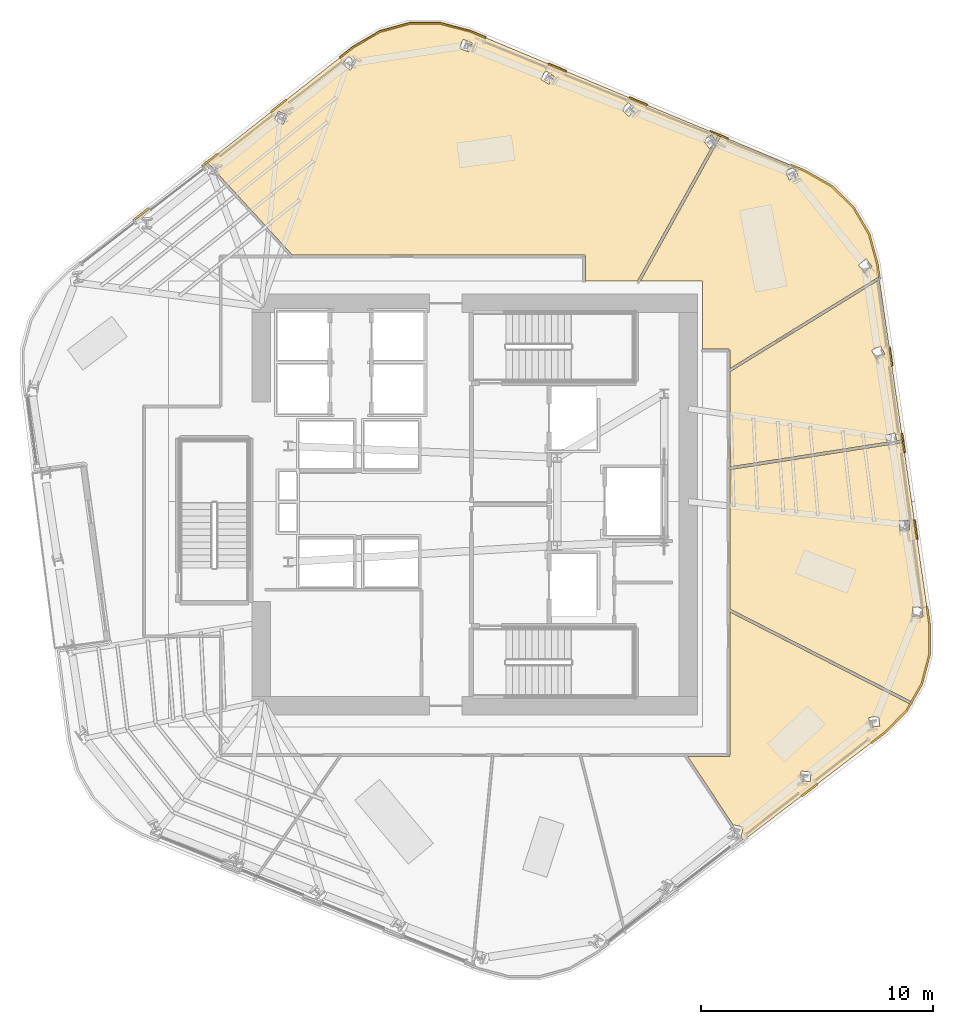
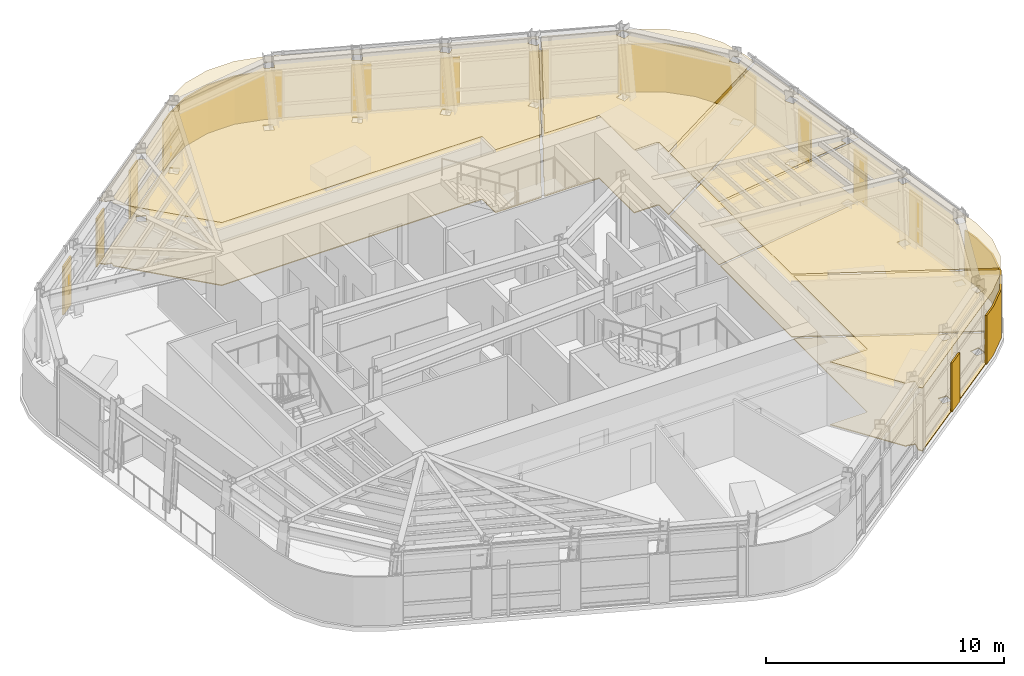
# One storey, part 14 of 15: 23 coverings.
"""IFC4 building model written with IfcOpenShell, lengths in metres."""

from ifc_helpers import new_model, si_unit, direction, frame, origin, place, context, subcontext, project, spatial, polyline, outline, extrude, material, layer, layer_set, type_object, element, save


model = new_model("IFC4")

# Units and contexts
model_context = context("Model", 3, precision=1e-05, world=origin(), true_north=direction((0.0, 1.0)))
body_context = subcontext(model_context, "Body", "Model", "MODEL_VIEW")
ifc_project = project(units=[si_unit("LENGTHUNIT", "METRE"), si_unit("AREAUNIT", "SQUARE_METRE"), si_unit("VOLUMEUNIT", "CUBIC_METRE"), si_unit("PLANEANGLEUNIT", "RADIAN"), si_unit("MASSUNIT", "GRAM", prefix="KILO")], contexts=[model_context])

# Site, building, storey
site_placement = place(None, origin())
site = spatial("IfcSite", under=ifc_project, at=site_placement, CompositionType="ELEMENT")
building_placement = place(site_placement, origin())
building = spatial("IfcBuilding", under=site, at=building_placement, Name="Valkerne Bourse Tower", CompositionType="ELEMENT")
storey_placement = place(building_placement, frame((0.0, 0.0, 185.60009765625)))
storey = spatial("IfcBuildingStorey", under=building, at=storey_placement, Name="L47", CompositionType="ELEMENT", Elevation=185.60009765625)

# Coverings
ifc_material_1 = material(Name="Mineral Fiber Acoustic Ceiling Tile", Category="acoustic")
ifc_layer_1 = layer(ifc_material_1, 0.02490234375)
ifc_layer_set_1 = layer_set([ifc_layer_1], Name="Mineral Fiber Acoustic Ceiling Tile")
covering_type_1 = type_object("IfcCoveringType", Name="COV-CEIL-ACT", PredefinedType="CEILING", material=ifc_layer_set_1)
covering_1_placement = place(storey_placement, frame((0.0, 0.0, 3.22998046875)))
element("IfcCovering", 1, at=covering_1_placement, inside=storey, type_object=covering_type_1, Name="L47 Suspended Ceiling 05", PredefinedType="CEILING", context=body_context, shape_type="SweptSolid", body=[
    extrude(outline(polyline([(57.7890625, 32.593994140625), (64.230712890625, 36.56396484375), (65.23046875, 29.6640625), (64.98388671875, 29.62548828125), (64.88720703125, 29.9619140625), (64.47900390625, 29.8447265625), (64.4794921875, 29.842041015625), (64.560791015625, 29.559326171875), (57.7890625, 28.498779296875), (57.7890625, 32.593994140625)]), holes=[polyline([(64.463134765625, 33.34716796875), (64.46240234375, 33.349609375), (64.26953125, 33.715087890625), (63.893798828125, 33.517333984375), (63.894775390625, 33.514892578125), (64.08740234375, 33.1494140625), (64.463134765625, 33.34716796875)])]), origin(), (0.0, 0.0, 1.0), 0.02490234375),
])
covering_2_placement = place(storey_placement, frame((0.0, 0.0, 3.22998046875)))
element("IfcCovering", 2, at=covering_2_placement, inside=storey, type_object=covering_type_1, Name="L47 Suspended Ceiling 06", PredefinedType="CEILING", context=body_context, shape_type="SweptSolid", body=[
    extrude(outline(polyline([(58.36865234375, 12.403564453125), (58.26318359375, 12.5625), (58.364013671875, 12.97119140625), (57.96240234375, 13.071533203125), (57.960205078125, 13.070068359375), (57.950927734375, 13.0322265625), (55.971923828125, 16.010986328125), (57.723388671875, 16.010986328125), (57.76171875, 16.02490234375), (57.786865234375, 16.0625), (57.7890625, 22.2412109375), (65.5537109375, 18.276123046875), (65.395263671875, 17.998291015625), (64.4609375, 17.05419921875), (58.36865234375, 12.403564453125)]), holes=[polyline([(61.275390625, 15.37060546875), (60.861572265625, 15.386962890625), (60.85986328125, 15.385009765625), (60.84423828125, 14.96142578125), (61.2578125, 14.94482421875), (61.259521484375, 14.947021484375), (61.275390625, 15.37060546875)]), polyline([(64.24560546875, 17.339599609375), (64.181396484375, 17.75830078125), (63.77197265625, 17.697021484375), (63.7705078125, 17.6943359375), (63.8349609375, 17.275634765625), (64.244140625, 17.337158203125), (64.24560546875, 17.339599609375)])]), origin(), (0.0, 0.0, 1.0), 0.02490234375),
])
covering_3_placement = place(storey_placement, frame((0.0, 0.0, 3.22998046875)))
element("IfcCovering", 3, at=covering_3_placement, inside=storey, type_object=covering_type_1, Name="L47 Suspended Ceiling 08", PredefinedType="CEILING", context=body_context, shape_type="SweptSolid", body=[
    extrude(outline(polyline([(63.116943359375, 39.65673828125), (63.78271484375, 38.517333984375), (64.133544921875, 37.23486328125), (64.21240234375, 36.691162109375), (57.7890625, 32.732421875), (57.788818359375, 33.50341796875), (57.779541015625, 33.53515625), (57.755859375, 33.55908203125), (57.720703125, 33.569091796875), (56.60009765625, 33.569091796875), (56.60009765625, 36.5), (53.9345703125, 36.5), (57.40234375, 42.75439453125), (61.024169921875, 41.24365234375), (62.178955078125, 40.5849609375), (63.116943359375, 39.65673828125)]), holes=[polyline([(63.912353515625, 37.131103515625), (63.910888671875, 37.13330078125), (63.65283203125, 37.4560546875), (63.321044921875, 37.19140625), (63.322509765625, 37.188720703125), (63.580322265625, 36.8662109375), (63.912353515625, 37.131103515625)]), polyline([(60.55615234375, 41.408935546875), (60.55419921875, 41.410888671875), (60.17431640625, 41.245361328125), (60.3427734375, 40.85693359375), (60.3447265625, 40.85498046875), (60.724365234375, 41.0205078125), (60.55615234375, 41.408935546875)])]), origin(), (0.0, 0.0, 1.0), 0.02490234375),
])
covering_4_placement = place(storey_placement, frame((0.0, 0.0, 3.22998046875)))
element("IfcCovering", 4, at=covering_4_placement, inside=storey, type_object=covering_type_1, Name="L47 Suspended Ceiling 10", PredefinedType="CEILING", context=body_context, shape_type="SweptSolid", body=[
    extrude(outline(polyline([(66.049072265625, 19.14453125), (65.6123046875, 18.37890625), (57.7890625, 22.373779296875), (57.7890625, 28.37939453125), (65.247314453125, 29.54736328125), (66.377197265625, 21.74951171875), (66.384033203125, 20.4208984375), (66.049072265625, 19.14453125)]), holes=[polyline([(66.098876953125, 22.427978515625), (65.677001953125, 22.4765625), (65.676513671875, 22.473876953125), (65.629638671875, 22.0634765625), (66.051513671875, 22.014892578125), (66.052001953125, 22.017578125), (66.098876953125, 22.427978515625)]), polyline([(65.529541015625, 25.783203125), (65.52978515625, 25.785888671875), (65.49853515625, 26.19775390625), (65.0751953125, 26.166015625), (65.074951171875, 26.163330078125), (65.106201171875, 25.751220703125), (65.529541015625, 25.783203125)])]), origin(), (0.0, 0.0, 1.0), 0.02490234375),
])
covering_5_placement = place(storey_placement, frame((0.0, 0.0, 3.22998046875)))
element("IfcCovering", 5, at=covering_5_placement, inside=storey, type_object=covering_type_1, Name="L47 Suspended Ceiling 11", PredefinedType="CEILING", context=body_context, shape_type="SweptSolid", body=[
    extrude(outline(polyline([(43.978515625, 47.597900390625), (45.298095703125, 47.60498046875), (46.5830078125, 47.267822265625), (57.292724609375, 42.80029296875), (57.158447265625, 42.557861328125), (56.9921875, 42.802001953125), (56.989990234375, 42.803466796875), (56.64794921875, 42.56982421875), (56.88623046875, 42.219482421875), (56.888427734375, 42.218017578125), (57.019775390625, 42.307861328125), (53.7998046875, 36.5), (51.569091796875, 36.5), (51.56884765625, 37.564697265625), (51.547119140625, 37.61083984375), (51.50439453125, 37.62890625), (38.9296875, 37.62890625), (35.695068359375, 41.155029296875), (35.7412109375, 41.341552734375), (35.45947265625, 41.411865234375), (35.267578125, 41.62109375), (41.55859375, 46.57958984375), (42.705810546875, 47.249755859375), (43.978515625, 47.597900390625)]), holes=[polyline([(38.532958984375, 43.255615234375), (38.716064453125, 43.6376953125), (38.34326171875, 43.81787109375), (38.3408203125, 43.816650390625), (38.15771484375, 43.4345703125), (38.530517578125, 43.25439453125), (38.532958984375, 43.255615234375)]), polyline([(53.72607421875, 43.89013671875), (53.42138671875, 44.1845703125), (53.4189453125, 44.185546875), (53.1318359375, 43.886962890625), (53.4365234375, 43.5927734375), (53.43896484375, 43.591796875), (53.72607421875, 43.89013671875)]), polyline([(49.851318359375, 45.554443359375), (49.848388671875, 45.554931640625), (49.628173828125, 45.204345703125), (49.986083984375, 44.978271484375), (49.989013671875, 44.977783203125), (50.209228515625, 45.328369140625), (49.851318359375, 45.554443359375)]), polyline([(41.678466796875, 45.9345703125), (41.34619140625, 46.181396484375), (41.343505859375, 46.1806640625), (41.091796875, 45.83984375), (41.424072265625, 45.593017578125), (41.427001953125, 45.59375), (41.678466796875, 45.9345703125)]), polyline([(46.68212890625, 46.759765625), (46.2880859375, 46.91455078125), (46.28515625, 46.914306640625), (46.134765625, 46.528564453125), (46.52880859375, 46.373779296875), (46.53173828125, 46.373779296875), (46.68212890625, 46.759765625)])]), origin(), (0.0, 0.0, 1.0), 0.02490234375),
])
ifc_material_2 = material(Name="Bronze Anodised Aluminium AA 6063-T6", Category="aluminium")
ifc_layer_2 = layer(ifc_material_2, 0.06005859375)
ifc_layer_set_2 = layer_set([ifc_layer_2], Name="Bronze Anodised Aluminium AA 6063-T6")
covering_type_2 = type_object("IfcCoveringType", Name="COV-CRN-ALUM", PredefinedType="CLADDING", material=ifc_layer_set_2)
covering_6_placement = place(storey_placement, origin())
element("IfcCovering", 6, at=covering_6_placement, inside=storey, type_object=covering_type_2, Name="L47 Wind-Shaped Corner Aluminium Cladding 02", PredefinedType="CLADDING", context=body_context, shape_type="SweptSolid", body=[
    extrude(outline(polyline([(32.727294921875, 39.675048828125), (32.7763671875, 39.61181640625), (32.116455078125, 39.091796875), (32.0673828125, 39.155029296875), (32.727294921875, 39.675048828125)])), origin(), (0.0, 0.0, 1.0), 2.5),
])
covering_7_placement = place(storey_placement, origin())
element("IfcCovering", 7, at=covering_7_placement, inside=storey, type_object=covering_type_2, Name="L47 Wind-Shaped Corner Aluminium Cladding 03", PredefinedType="CLADDING", context=body_context, shape_type="SweptSolid", body=[
    extrude(outline(polyline([(35.689208984375, 42.009521484375), (35.738037109375, 41.9462890625), (35.078369140625, 41.42626953125), (35.029296875, 41.489501953125), (35.689208984375, 42.009521484375)])), origin(), (0.0, 0.0, 1.0), 2.5),
])
covering_8_placement = place(storey_placement, origin())
element("IfcCovering", 8, at=covering_8_placement, inside=storey, type_object=covering_type_2, Name="L47 Wind-Shaped Corner Aluminium Cladding 04", PredefinedType="CLADDING", context=body_context, shape_type="SweptSolid", body=[
    extrude(outline(polyline([(38.65087890625, 44.34375), (38.699951171875, 44.280517578125), (38.0400390625, 43.760498046875), (37.990966796875, 43.82373046875), (38.65087890625, 44.34375)])), origin(), (0.0, 0.0, 1.0), 2.5),
])
covering_9_placement = place(storey_placement, origin())
element("IfcCovering", 9, at=covering_9_placement, inside=storey, type_object=covering_type_2, Name="L47 Wind-Shaped Corner Aluminium Cladding 05", PredefinedType="CLADDING", context=body_context, shape_type="SweptSolid", body=[
    extrude(outline(polyline([(41.53369140625, 46.615966796875), (42.6884765625, 47.290771484375), (43.972412109375, 47.64208984375), (45.3037109375, 47.64892578125), (46.59716796875, 47.3095703125), (47.27978515625, 47.02490234375), (47.24951171875, 46.95068359375), (46.5712890625, 47.233642578125), (45.29345703125, 47.56884765625), (43.9833984375, 47.56201171875), (42.7197265625, 47.21630859375), (41.578857421875, 46.5498046875), (41.001708984375, 46.094970703125), (40.952880859375, 46.158203125), (41.53369140625, 46.615966796875)])), origin(), (0.0, 0.0, 1.0), 2.5),
])
covering_10_placement = place(storey_placement, origin())
element("IfcCovering", 10, at=covering_10_placement, inside=storey, type_object=covering_type_2, Name="L47 Wind-Shaped Corner Aluminium Cladding 06", PredefinedType="CLADDING", context=body_context, shape_type="SweptSolid", body=[
    extrude(outline(polyline([(50.76025390625, 45.572998046875), (50.72998046875, 45.498779296875), (49.95458984375, 45.822265625), (49.98486328125, 45.896240234375), (50.76025390625, 45.572998046875)])), origin(), (0.0, 0.0, 1.0), 2.5),
])
covering_11_placement = place(storey_placement, origin())
element("IfcCovering", 11, at=covering_11_placement, inside=storey, type_object=covering_type_2, Name="L47 Wind-Shaped Corner Aluminium Cladding 07", PredefinedType="CLADDING", context=body_context, shape_type="SweptSolid", body=[
    extrude(outline(polyline([(54.240478515625, 44.12109375), (54.21044921875, 44.047119140625), (53.43505859375, 44.370361328125), (53.46533203125, 44.444580078125), (54.240478515625, 44.12109375)])), origin(), (0.0, 0.0, 1.0), 2.5),
])
covering_12_placement = place(storey_placement, origin())
element("IfcCovering", 12, at=covering_12_placement, inside=storey, type_object=covering_type_2, Name="L47 Wind-Shaped Corner Aluminium Cladding 08", PredefinedType="CLADDING", context=body_context, shape_type="SweptSolid", body=[
    extrude(outline(polyline([(57.720947265625, 42.669189453125), (57.69091796875, 42.59521484375), (56.91552734375, 42.918701171875), (56.94580078125, 42.99267578125), (57.720947265625, 42.669189453125)])), origin(), (0.0, 0.0, 1.0), 2.5),
])
covering_13_placement = place(storey_placement, origin())
element("IfcCovering", 13, at=covering_13_placement, inside=storey, type_object=covering_type_2, Name="L47 Wind-Shaped Corner Aluminium Cladding 09", PredefinedType="CLADDING", context=body_context, shape_type="SweptSolid", body=[
    extrude(outline(polyline([(61.04345703125, 41.283203125), (62.205810546875, 40.620361328125), (63.152099609375, 39.683837890625), (63.823486328125, 38.53466796875), (64.1767578125, 37.243896484375), (64.272705078125, 36.581787109375), (64.193359375, 36.571044921875), (64.098388671875, 37.2275390625), (63.749267578125, 38.50341796875), (63.088134765625, 39.634521484375), (62.156982421875, 40.555908203125), (61.00830078125, 41.211181640625), (60.39599609375, 41.466796875), (60.42626953125, 41.540771484375), (61.04345703125, 41.283203125)])), origin(), (0.0, 0.0, 1.0), 2.5),
])
covering_14_placement = place(storey_placement, origin())
element("IfcCovering", 14, at=covering_14_placement, inside=storey, type_object=covering_type_2, Name="L47 Wind-Shaped Corner Aluminium Cladding 10", PredefinedType="CLADDING", context=body_context, shape_type="SweptSolid", body=[
    extrude(outline(polyline([(64.813232421875, 32.849609375), (64.734130859375, 32.8388671875), (64.613525390625, 33.67041015625), (64.69287109375, 33.68115234375), (64.813232421875, 32.849609375)])), origin(), (0.0, 0.0, 1.0), 2.5),
])
covering_15_placement = place(storey_placement, origin())
element("IfcCovering", 15, at=covering_15_placement, inside=storey, type_object=covering_type_2, Name="L47 Wind-Shaped Corner Aluminium Cladding 11", PredefinedType="CLADDING", context=body_context, shape_type="SweptSolid", body=[
    extrude(outline(polyline([(65.35400390625, 29.11767578125), (65.27490234375, 29.106689453125), (65.154296875, 29.938232421875), (65.233642578125, 29.948974609375), (65.35400390625, 29.11767578125)])), origin(), (0.0, 0.0, 1.0), 2.5),
])
covering_16_placement = place(storey_placement, origin())
element("IfcCovering", 16, at=covering_16_placement, inside=storey, type_object=covering_type_2, Name="L47 Wind-Shaped Corner Aluminium Cladding 12", PredefinedType="CLADDING", context=body_context, shape_type="SweptSolid", body=[
    extrude(outline(polyline([(65.894775390625, 25.385498046875), (65.8154296875, 25.37451171875), (65.695068359375, 26.2060546875), (65.7744140625, 26.216796875), (65.894775390625, 25.385498046875)])), origin(), (0.0, 0.0, 1.0), 2.5),
])
covering_17_placement = place(storey_placement, origin())
element("IfcCovering", 17, at=covering_17_placement, inside=storey, type_object=covering_type_2, Name="L47 Wind-Shaped Corner Aluminium Cladding 13", PredefinedType="CLADDING", context=body_context, shape_type="SweptSolid", body=[
    extrude(outline(polyline([(66.4208984375, 21.752685546875), (66.427978515625, 20.415283203125), (66.090087890625, 19.127685546875), (65.4306640625, 17.971435546875), (64.489990234375, 17.02099609375), (63.902099609375, 16.572265625), (63.85302734375, 16.635498046875), (64.43701171875, 17.081298828125), (65.366455078125, 18.020263671875), (66.015380859375, 19.158203125), (66.347900390625, 20.425537109375), (66.341064453125, 21.746826171875), (66.235595703125, 22.473876953125), (66.31494140625, 22.48486328125), (66.4208984375, 21.752685546875)])), origin(), (0.0, 0.0, 1.0), 2.5),
])
covering_18_placement = place(storey_placement, origin())
element("IfcCovering", 18, at=covering_18_placement, inside=storey, type_object=covering_type_2, Name="L47 Wind-Shaped Corner Aluminium Cladding 14", PredefinedType="CLADDING", context=body_context, shape_type="SweptSolid", body=[
    extrude(outline(polyline([(60.904541015625, 14.283935546875), (60.85546875, 14.34716796875), (61.523193359375, 14.85693359375), (61.572265625, 14.793701171875), (60.904541015625, 14.283935546875)])), origin(), (0.0, 0.0, 1.0), 2.5),
])
ifc_material_3 = material(Name="Galvanised Painted Steel", Category="steel")
ifc_layer_3 = layer(ifc_material_3, 0.044921875)
ifc_layer_set_3 = layer_set([ifc_layer_3], Name="Galvanised Painted Steel")
covering_type_3 = type_object("IfcCoveringType", Name="COV-FLR-RAF", PredefinedType="FLOORING", material=ifc_layer_set_3)
covering_19_placement = place(storey_placement, origin())
element("IfcCovering", 19, at=covering_19_placement, inside=storey, type_object=covering_type_3, Name="L47 Floor Finish 06", PredefinedType="FLOORING", context=body_context, shape_type="SweptSolid", body=[
    extrude(outline(polyline([(58.36865234375, 12.403564453125), (58.26318359375, 12.5625), (58.364013671875, 12.97119140625), (57.96240234375, 13.071533203125), (57.960205078125, 13.070068359375), (57.950927734375, 13.0322265625), (55.971923828125, 16.010986328125), (57.723388671875, 16.010986328125), (57.76171875, 16.02490234375), (57.786865234375, 16.0625), (57.7890625, 22.2412109375), (65.5537109375, 18.276123046875), (65.395263671875, 17.998291015625), (64.4609375, 17.05419921875), (58.36865234375, 12.403564453125)]), holes=[polyline([(61.275390625, 15.37060546875), (60.861572265625, 15.386962890625), (60.85986328125, 15.385009765625), (60.84423828125, 14.96142578125), (61.2578125, 14.94482421875), (61.259521484375, 14.947021484375), (61.275390625, 15.37060546875)]), polyline([(64.24560546875, 17.339599609375), (64.181396484375, 17.75830078125), (63.77197265625, 17.697021484375), (63.7705078125, 17.6943359375), (63.8349609375, 17.275634765625), (64.244140625, 17.337158203125), (64.24560546875, 17.339599609375)])]), origin(), (0.0, 0.0, 1.0), 0.044921875),
])
covering_20_placement = place(storey_placement, origin())
element("IfcCovering", 20, at=covering_20_placement, inside=storey, type_object=covering_type_3, Name="L47 Floor Finish 08", PredefinedType="FLOORING", context=body_context, shape_type="SweptSolid", body=[
    extrude(outline(polyline([(63.116943359375, 39.65673828125), (63.78271484375, 38.517333984375), (64.133544921875, 37.23486328125), (64.21240234375, 36.691162109375), (57.7890625, 32.732421875), (57.788818359375, 33.50341796875), (57.779541015625, 33.53515625), (57.755859375, 33.55908203125), (57.720703125, 33.569091796875), (56.60009765625, 33.569091796875), (56.60009765625, 36.5), (53.9345703125, 36.5), (57.40234375, 42.75439453125), (61.024169921875, 41.24365234375), (62.178955078125, 40.5849609375), (63.116943359375, 39.65673828125)]), holes=[polyline([(63.912353515625, 37.131103515625), (63.910888671875, 37.13330078125), (63.65283203125, 37.4560546875), (63.321044921875, 37.19140625), (63.322509765625, 37.188720703125), (63.580322265625, 36.8662109375), (63.912353515625, 37.131103515625)]), polyline([(60.55615234375, 41.408935546875), (60.55419921875, 41.410888671875), (60.17431640625, 41.245361328125), (60.3427734375, 40.85693359375), (60.3447265625, 40.85498046875), (60.724365234375, 41.0205078125), (60.55615234375, 41.408935546875)])]), origin(), (0.0, 0.0, 1.0), 0.044921875),
])
covering_21_placement = place(storey_placement, origin())
element("IfcCovering", 21, at=covering_21_placement, inside=storey, type_object=covering_type_3, Name="L47 Floor Finish 10", PredefinedType="FLOORING", context=body_context, shape_type="SweptSolid", body=[
    extrude(outline(polyline([(66.049072265625, 19.14453125), (65.6123046875, 18.37890625), (57.7890625, 22.373779296875), (57.7890625, 28.37939453125), (65.247314453125, 29.54736328125), (66.377197265625, 21.74951171875), (66.384033203125, 20.4208984375), (66.049072265625, 19.14453125)]), holes=[polyline([(66.098876953125, 22.427978515625), (65.677001953125, 22.4765625), (65.676513671875, 22.473876953125), (65.629638671875, 22.0634765625), (66.051513671875, 22.014892578125), (66.052001953125, 22.017578125), (66.098876953125, 22.427978515625)]), polyline([(65.529541015625, 25.783203125), (65.52978515625, 25.785888671875), (65.49853515625, 26.19775390625), (65.0751953125, 26.166015625), (65.074951171875, 26.163330078125), (65.106201171875, 25.751220703125), (65.529541015625, 25.783203125)])]), origin(), (0.0, 0.0, 1.0), 0.044921875),
])
covering_22_placement = place(storey_placement, origin())
element("IfcCovering", 22, at=covering_22_placement, inside=storey, type_object=covering_type_3, Name="L47 Floor Finish 11", PredefinedType="FLOORING", context=body_context, shape_type="SweptSolid", body=[
    extrude(outline(polyline([(43.978515625, 47.597900390625), (45.298095703125, 47.60498046875), (46.5830078125, 47.267822265625), (57.292724609375, 42.80029296875), (57.158447265625, 42.557861328125), (56.9921875, 42.802001953125), (56.989990234375, 42.803466796875), (56.64794921875, 42.56982421875), (56.88623046875, 42.219482421875), (56.888427734375, 42.218017578125), (57.019775390625, 42.307861328125), (53.7998046875, 36.5), (51.569091796875, 36.5), (51.56884765625, 37.564697265625), (51.547119140625, 37.61083984375), (51.50439453125, 37.62890625), (38.9296875, 37.62890625), (35.695068359375, 41.155029296875), (35.7412109375, 41.341552734375), (35.45947265625, 41.411865234375), (35.267578125, 41.62109375), (41.55859375, 46.57958984375), (42.705810546875, 47.249755859375), (43.978515625, 47.597900390625)]), holes=[polyline([(38.532958984375, 43.255615234375), (38.716064453125, 43.6376953125), (38.34326171875, 43.81787109375), (38.3408203125, 43.816650390625), (38.15771484375, 43.4345703125), (38.530517578125, 43.25439453125), (38.532958984375, 43.255615234375)]), polyline([(53.72607421875, 43.89013671875), (53.42138671875, 44.1845703125), (53.4189453125, 44.185546875), (53.1318359375, 43.886962890625), (53.4365234375, 43.5927734375), (53.43896484375, 43.591796875), (53.72607421875, 43.89013671875)]), polyline([(49.851318359375, 45.554443359375), (49.848388671875, 45.554931640625), (49.628173828125, 45.204345703125), (49.986083984375, 44.978271484375), (49.989013671875, 44.977783203125), (50.209228515625, 45.328369140625), (49.851318359375, 45.554443359375)]), polyline([(41.678466796875, 45.9345703125), (41.34619140625, 46.181396484375), (41.343505859375, 46.1806640625), (41.091796875, 45.83984375), (41.424072265625, 45.593017578125), (41.427001953125, 45.59375), (41.678466796875, 45.9345703125)]), polyline([(46.68212890625, 46.759765625), (46.2880859375, 46.91455078125), (46.28515625, 46.914306640625), (46.134765625, 46.528564453125), (46.52880859375, 46.373779296875), (46.53173828125, 46.373779296875), (46.68212890625, 46.759765625)])]), origin(), (0.0, 0.0, 1.0), 0.044921875),
])
ifc_material_4 = material(Name="Polished Granite Stone", Category="masonry")
ifc_layer_4 = layer(ifc_material_4, 0.030029296875)
ifc_layer_set_4 = layer_set([ifc_layer_4], Name="Polished Granite Stone")
covering_type_4 = type_object("IfcCoveringType", Name="COV-FLR-TERRAZZO", PredefinedType="FLOORING", material=ifc_layer_set_4)
covering_23_placement = place(storey_placement, origin())
element("IfcCovering", 23, at=covering_23_placement, inside=storey, type_object=covering_type_4, Name="L47 Floor Finish 05", PredefinedType="FLOORING", context=body_context, shape_type="SweptSolid", body=[
    extrude(outline(polyline([(57.7890625, 32.593994140625), (64.230712890625, 36.56396484375), (65.23046875, 29.6640625), (64.98388671875, 29.62548828125), (64.88720703125, 29.9619140625), (64.47900390625, 29.8447265625), (64.4794921875, 29.842041015625), (64.560791015625, 29.559326171875), (57.7890625, 28.498779296875), (57.7890625, 32.593994140625)]), holes=[polyline([(64.463134765625, 33.34716796875), (64.46240234375, 33.349609375), (64.26953125, 33.715087890625), (63.893798828125, 33.517333984375), (63.894775390625, 33.514892578125), (64.08740234375, 33.1494140625), (64.463134765625, 33.34716796875)])]), origin(), (0.0, 0.0, 1.0), 0.02978515625),
])

save(model, "model.ifc")
